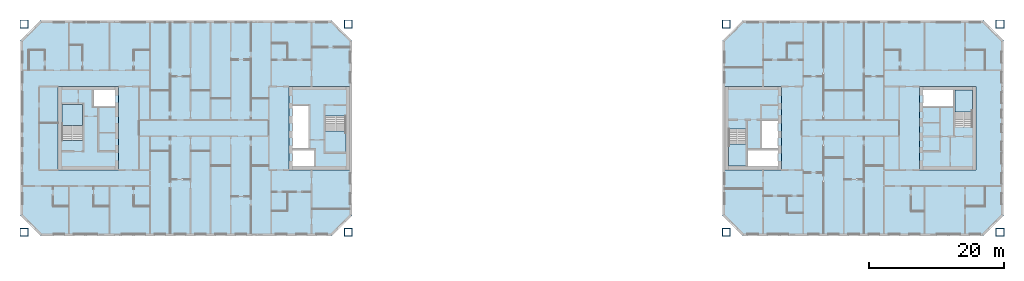
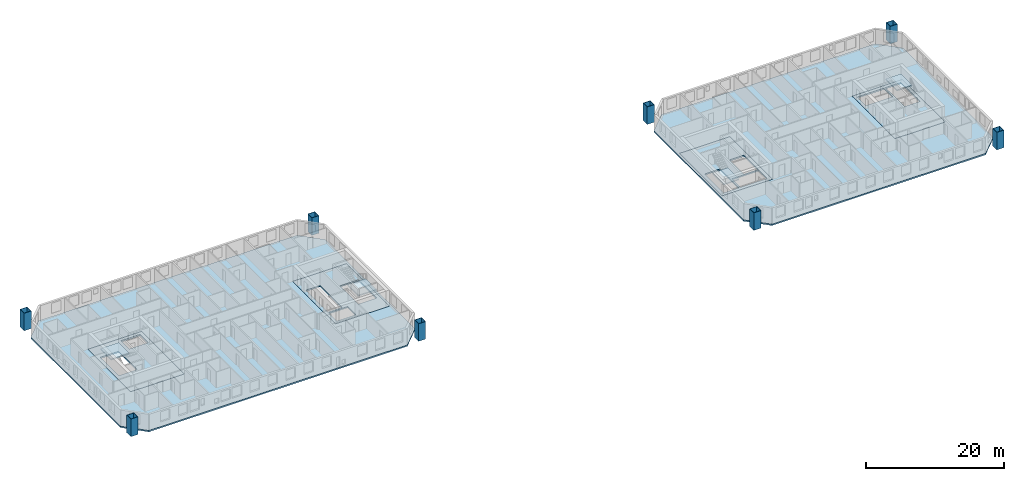
# One storey, part 1 of 16: 10 slabs, 8 columns, 4 elements without a shape of their own.
"""IFC4 building model written with IfcOpenShell, lengths in metres."""

from ifc_helpers import new_model, si_unit, direction, frame, origin, origin_2d, place, context, subcontext, project, spatial, polyline, hollow_rectangle, outline, extrude, material, layer, layer_set, material_profile, profile_set, type_object, element, aggregate, save


model = new_model("IFC4")

# Units and contexts
model_context = context("Model", 3, precision=1e-05, world=origin(), true_north=direction((0.0, 1.0)))
body_context = subcontext(model_context, "Body", "Model", "MODEL_VIEW")
ifc_project = project(units=[si_unit("LENGTHUNIT", "METRE"), si_unit("AREAUNIT", "SQUARE_METRE"), si_unit("VOLUMEUNIT", "CUBIC_METRE"), si_unit("PLANEANGLEUNIT", "RADIAN"), si_unit("MASSUNIT", "GRAM", prefix="KILO")], contexts=[model_context])

# Site, building, storey
site_placement = place(None, origin())
site = spatial("IfcSite", under=ifc_project, at=site_placement, CompositionType="ELEMENT")
building_placement = place(site_placement, origin())
building = spatial("IfcBuilding", under=site, at=building_placement, Name="Tuart Gate Housing", CompositionType="ELEMENT")
storey_placement = place(building_placement, frame((0.0, 0.0, 129.89990234375)))
storey = spatial("IfcBuildingStorey", under=building, at=storey_placement, Name="L36", CompositionType="ELEMENT", Elevation=129.89990234375)

# Columns
ifc_material_1 = material(Name="Steel Grade 350", Category="steel")
ifc_material_profile = material_profile(ifc_material_1, hollow_rectangle(XDim=1.199951171875, YDim=1.199951171875, WallThickness=0.06494140625, at=origin_2d()), Name="BOX 1200x1200x65")
ifc_profile_set = profile_set([ifc_material_profile], Name="Steel Grade 350")
column_type = type_object("IfcColumnType", Name="Mega column BOX 1200x1200x65", PredefinedType="COLUMN", material=ifc_profile_set)
for number, where, z_axis, x_axis, name in (
    (1, (27.300048828125, 54.550048828125, 0.0), (0.0, 0.0, 1.0), (1.0, 0.0, 0.0), "Mega column A south-west L36"),
    (2, (75.449951171875, 54.550048828125, 0.0), (0.0, 0.0, 1.0), (1.0, 0.0, 0.0), "Mega column A south-east L36"),
    (3, (75.449951171875, 85.449951171875, 0.0), (0.0, 0.0, 1.0), (1.0, 0.0, 0.0), "Mega column A north-east L36"),
    (4, (27.300048828125, 85.449951171875, 0.0), (0.0, 0.0, 1.0), (1.0, 0.0, 0.0), "Mega column A north-west L36"),
    (5, (131.550048828125, 54.550048828125, 0.0), (0.0, 0.0, 1.0), (1.0, 0.0, 0.0), "Mega column B south-west L36"),
    (6, (172.199951171875, 54.550048828125, 0.0), (0.0, 0.0, 1.0), (1.0, 0.0, 0.0), "Mega column B south-east L36"),
    (7, (172.199951171875, 85.449951171875, 0.0), (0.0, 0.0, 1.0), (1.0, 0.0, 0.0), "Mega column B north-east L36"),
    (8, (131.550048828125, 85.449951171875, 0.0), (0.0, 0.0, 1.0), (1.0, 0.0, 0.0), "Mega column B north-west L36"),
):
    element("IfcColumn", number, at=place(storey_placement, frame(where, z_axis=z_axis, x_axis=x_axis)), inside=storey, type_object=column_type, Name=name, PredefinedType="COLUMN", context=body_context, shape_type="SweptSolid", body=[
        extrude(hollow_rectangle(XDim=1.199951171875, YDim=1.199951171875, WallThickness=0.06494140625, at=origin_2d()), origin(), (0.0, 0.0, 1.0), 3.10009765625),
    ])

# Slabs
ifc_material_2 = material(Name="Concrete C40", Category="concrete")
ifc_layer_1 = layer(ifc_material_2, 0.25)
ifc_layer_set_1 = layer_set([ifc_layer_1], Name="Core floor slab 250")
slab_type_1 = type_object("IfcSlabType", Name="Core floor slab 250", PredefinedType="FLOOR", material=ifc_layer_set_1)
slab_1_placement = place(storey_placement, frame((0.0, 0.0, -0.25)))
element("IfcSlab", 9, at=slab_1_placement, inside=storey, type_object=slab_type_1, Name="Core floor AG", PredefinedType="FLOOR", context=body_context, shape_type="SweptSolid", body=[
    extrude(outline(polyline([(66.639892578125, 63.800048828125), (75.639892578125, 63.800048828125), (75.639892578125, 76.199951171875), (66.639892578125, 76.199951171875), (66.639892578125, 63.800048828125)]), holes=[polyline([(67.18994140625, 64.35009765625), (70.385009765625, 64.35009765625), (70.385009765625, 66.72509765625), (67.18994140625, 66.72509765625), (67.18994140625, 64.35009765625)]), polyline([(67.18994140625, 66.97509765625), (69.56494140625, 66.97509765625), (69.56494140625, 73.324951171875), (67.18994140625, 73.324951171875), (67.18994140625, 66.97509765625)]), polyline([(72.014892578125, 66.47509765625), (75.090087890625, 66.47509765625), (75.090087890625, 71.804931640625), (72.014892578125, 71.804931640625), (72.014892578125, 66.47509765625)])]), origin(), (0.0, 0.0, 1.0), 0.25),
])
slab_2_placement = place(storey_placement, frame((0.0, 0.0, -0.25)))
element("IfcSlab", 10, at=slab_2_placement, inside=storey, type_object=slab_type_1, Name="Core floor AK", PredefinedType="FLOOR", context=body_context, shape_type="SweptSolid", body=[
    extrude(outline(polyline([(32.360107421875, 63.800048828125), (41.360107421875, 63.800048828125), (41.360107421875, 76.199951171875), (32.360107421875, 76.199951171875), (32.360107421875, 63.800048828125)]), holes=[polyline([(40.81005859375, 75.64990234375), (37.614990234375, 75.64990234375), (37.614990234375, 73.27490234375), (40.81005859375, 73.27490234375), (40.81005859375, 75.64990234375)]), polyline([(35.985107421875, 73.52490234375), (32.909912109375, 73.52490234375), (32.909912109375, 68.195068359375), (35.985107421875, 68.195068359375), (35.985107421875, 73.52490234375)])]), origin(), (0.0, 0.0, 1.0), 0.25),
])
slab_3_placement = place(storey_placement, frame((0.0, 0.0, -0.25)))
element("IfcSlab", 11, at=slab_3_placement, inside=storey, type_object=slab_type_1, Name="Core floor BG", PredefinedType="FLOOR", context=body_context, shape_type="SweptSolid", body=[
    extrude(outline(polyline([(131.360107421875, 63.800048828125), (139.760009765625, 63.800048828125), (139.760009765625, 76.199951171875), (131.360107421875, 76.199951171875), (131.360107421875, 63.800048828125)]), holes=[polyline([(139.2099609375, 66.85009765625), (134.735107421875, 66.85009765625), (134.735107421875, 64.35009765625), (139.2099609375, 64.35009765625), (139.2099609375, 66.85009765625)]), polyline([(139.2099609375, 71.125), (136.8349609375, 71.125), (136.8349609375, 66.97509765625), (139.2099609375, 66.97509765625), (139.2099609375, 71.125)]), polyline([(134.485107421875, 69.85498046875), (131.909912109375, 69.85498046875), (131.909912109375, 64.35009765625), (134.485107421875, 64.35009765625), (134.485107421875, 69.85498046875)])]), origin(), (0.0, 0.0, 1.0), 0.25),
])
slab_4_placement = place(storey_placement, frame((0.0, 0.0, -0.25)))
element("IfcSlab", 12, at=slab_4_placement, inside=storey, type_object=slab_type_1, Name="Core floor BK", PredefinedType="FLOOR", context=body_context, shape_type="SweptSolid", body=[
    extrude(outline(polyline([(160.239990234375, 63.800048828125), (168.639892578125, 63.800048828125), (168.639892578125, 76.199951171875), (160.239990234375, 76.199951171875), (160.239990234375, 63.800048828125)]), holes=[polyline([(160.7900390625, 73.14990234375), (165.264892578125, 73.14990234375), (165.264892578125, 75.64990234375), (160.7900390625, 75.64990234375), (160.7900390625, 73.14990234375)]), polyline([(165.514892578125, 70.14501953125), (168.090087890625, 70.14501953125), (168.090087890625, 75.64990234375), (165.514892578125, 75.64990234375), (165.514892578125, 70.14501953125)])]), origin(), (0.0, 0.0, 1.0), 0.25),
])
ifc_material_3 = material(Name="Concrete C40", Category="concrete")
ifc_layer_2 = layer(ifc_material_3, 0.25)
ifc_layer_set_2 = layer_set([ifc_layer_2], Name="Flat plate 250")
slab_type_2 = type_object("IfcSlabType", Name="Flat plate 250", PredefinedType="FLOOR", material=ifc_layer_set_2)
slab_5_placement = place(storey_placement, frame((0.0, 0.0, -0.25)))
element("IfcSlab", 13, at=slab_5_placement, inside=storey, type_object=slab_type_2, Name="Floor slab A L36", PredefinedType="FLOOR", context=body_context, shape_type="SweptSolid", body=[
    extrude(outline(polyline([(29.75, 86.0), (26.75, 83.0), (26.75, 57.0), (29.75, 54.0), (73.0, 54.0), (76.0, 57.0), (76.0, 83.0), (73.0, 86.0), (29.75, 86.0)]), holes=[polyline([(66.639892578125, 76.199951171875), (75.639892578125, 76.199951171875), (75.639892578125, 63.800048828125), (66.639892578125, 63.800048828125), (66.639892578125, 76.199951171875)]), polyline([(41.360107421875, 76.199951171875), (41.360107421875, 63.800048828125), (32.360107421875, 63.800048828125), (32.360107421875, 76.199951171875), (41.360107421875, 76.199951171875)])]), origin(), (0.0, 0.0, 1.0), 0.25),
])
slab_6_placement = place(storey_placement, frame((0.0, 0.0, -0.25)))
element("IfcSlab", 14, at=slab_6_placement, inside=storey, type_object=slab_type_2, Name="Floor slab B L36", PredefinedType="FLOOR", context=body_context, shape_type="SweptSolid", body=[
    extrude(outline(polyline([(134.0, 86.0), (131.0, 83.0), (131.0, 57.0), (134.0, 54.0), (169.75, 54.0), (172.75, 57.0), (172.75, 83.0), (169.75, 86.0), (134.0, 86.0)]), holes=[polyline([(131.360107421875, 76.199951171875), (139.760009765625, 76.199951171875), (139.760009765625, 63.800048828125), (131.360107421875, 63.800048828125), (131.360107421875, 76.199951171875)]), polyline([(168.639892578125, 76.199951171875), (168.639892578125, 63.800048828125), (160.239990234375, 63.800048828125), (160.239990234375, 76.199951171875), (168.639892578125, 76.199951171875)])]), origin(), (0.0, 0.0, 1.0), 0.25),
])

# Stair, slab
ifc_material_4 = material(Name="Concrete C40", Category="concrete")
stair_type_1 = type_object("IfcStairType", Name="Core stair 1500", PredefinedType="HALF_TURN_STAIR", material=ifc_material_4)
stair_1_placement = place(storey_placement, origin())
stair_1 = element("IfcStair", 15, at=stair_1_placement, inside=storey, type_object=stair_type_1, Name="Stair SA1", PredefinedType="HALF_TURN_STAIR")
ifc_material_5 = material(Name="Concrete C40", Category="concrete")
ifc_layer_3 = layer(ifc_material_5, 0.199951171875)
ifc_layer_set_3 = layer_set([ifc_layer_3], Name="Stair landing 200")
slab_type_3 = type_object("IfcSlabType", Name="Stair landing 200", PredefinedType="LANDING", material=ifc_layer_set_3)
slab_7_placement = place(storey_placement, frame((0.0, 0.0, 1.35009765625)))
slab_7 = element("IfcSlab", 16, at=slab_7_placement, type_object=slab_type_3, Name="SA1 landing 1", PredefinedType="LANDING", context=body_context, shape_type="SweptSolid", body=[
    extrude(outline(polyline([(72.014892578125, 66.47509765625), (75.090087890625, 66.47509765625), (75.090087890625, 69.5849609375), (72.014892578125, 69.5849609375), (72.014892578125, 66.47509765625)])), origin(), (0.0, 0.0, 1.0), 0.199951171875),
])
aggregate(stair_1, [slab_7])

stair_2_placement = place(storey_placement, origin())
stair_2 = element("IfcStair", 17, at=stair_2_placement, inside=storey, type_object=stair_type_1, Name="Stair SA2", PredefinedType="HALF_TURN_STAIR")
slab_8_placement = place(storey_placement, frame((0.0, 0.0, 1.35009765625)))
slab_8 = element("IfcSlab", 18, at=slab_8_placement, type_object=slab_type_3, Name="SA2 landing 1", PredefinedType="LANDING", context=body_context, shape_type="SweptSolid", body=[
    extrude(outline(polyline([(35.985107421875, 73.52490234375), (32.909912109375, 73.52490234375), (32.909912109375, 70.4150390625), (35.985107421875, 70.4150390625), (35.985107421875, 73.52490234375)])), origin(), (0.0, 0.0, 1.0), 0.199951171875),
])
aggregate(stair_2, [slab_8])

ifc_material_6 = material(Name="Concrete C40", Category="concrete")
stair_type_2 = type_object("IfcStairType", Name="Core stair 1250", PredefinedType="HALF_TURN_STAIR", material=ifc_material_6)
stair_3_placement = place(storey_placement, origin())
stair_3 = element("IfcStair", 19, at=stair_3_placement, inside=storey, type_object=stair_type_2, Name="Stair SB1", PredefinedType="HALF_TURN_STAIR")
slab_9_placement = place(storey_placement, frame((0.0, 0.0, 1.35009765625)))
slab_9 = element("IfcSlab", 20, at=slab_9_placement, type_object=slab_type_3, Name="SB1 landing 1", PredefinedType="LANDING", context=body_context, shape_type="SweptSolid", body=[
    extrude(outline(polyline([(134.485107421875, 67.635009765625), (131.909912109375, 67.635009765625), (131.909912109375, 64.35009765625), (134.485107421875, 64.35009765625), (134.485107421875, 67.635009765625)])), origin(), (0.0, 0.0, 1.0), 0.199951171875),
])
aggregate(stair_3, [slab_9])

stair_4_placement = place(storey_placement, origin())
stair_4 = element("IfcStair", 21, at=stair_4_placement, inside=storey, type_object=stair_type_2, Name="Stair SB2", PredefinedType="HALF_TURN_STAIR")
slab_10_placement = place(storey_placement, frame((0.0, 0.0, 1.35009765625)))
slab_10 = element("IfcSlab", 22, at=slab_10_placement, type_object=slab_type_3, Name="SB2 landing 1", PredefinedType="LANDING", context=body_context, shape_type="SweptSolid", body=[
    extrude(outline(polyline([(165.514892578125, 72.364990234375), (168.090087890625, 72.364990234375), (168.090087890625, 75.64990234375), (165.514892578125, 75.64990234375), (165.514892578125, 72.364990234375)])), origin(), (0.0, 0.0, 1.0), 0.199951171875),
])
aggregate(stair_4, [slab_10])

save(model, "model.ifc")
